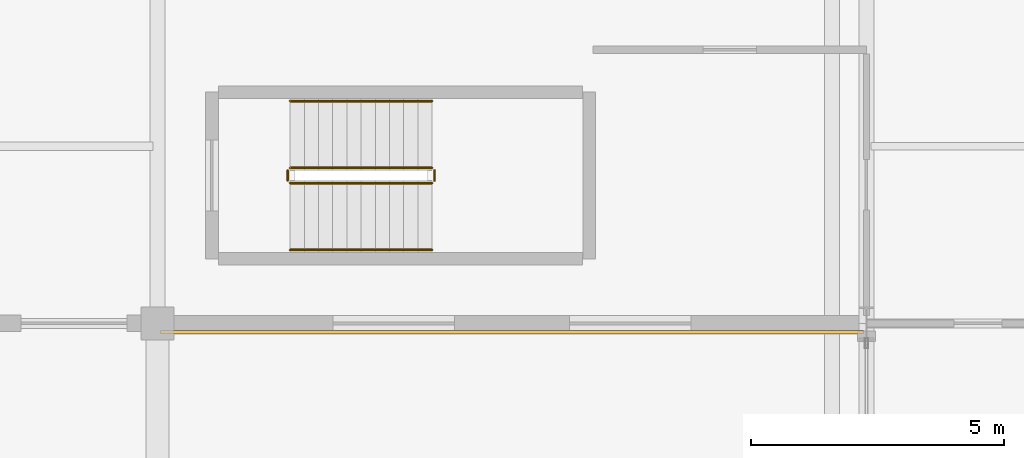
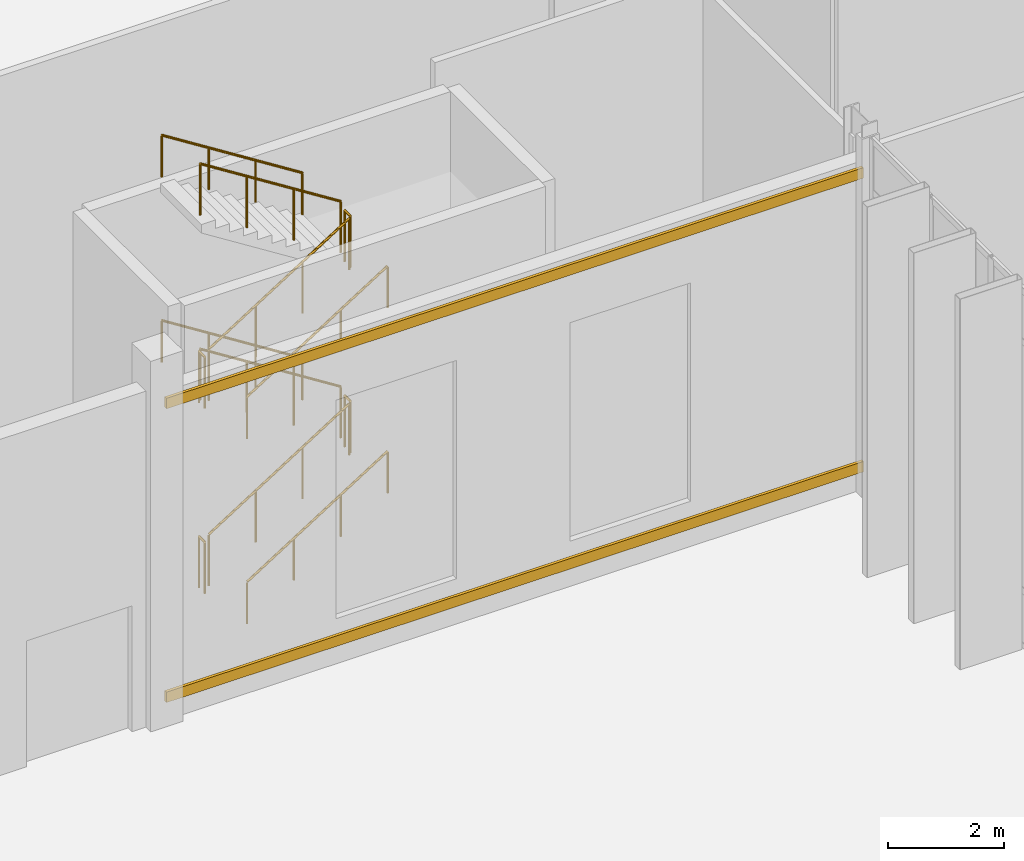
# One storey, part 159 of 176: 12 railings, 2 coverings.
"""IFC4 building model written with IfcOpenShell, lengths in metres."""

import ifcopenshell
import ifcopenshell.guid

model = None  # the IFC model being written
_history = None  # IfcOwnerHistory: only IFC2X3 demands one
_inside = {}  # id of a spatial element -> (the spatial element, [elements in it])
_under = {}  # id of a project, library or spatial element -> (it, [spatial elements below it])
_declared = {}  # id of a project -> (the project, [libraries it declares])
_typed = {}  # id of a type object -> (the type object, [elements of that type])
_made_of = {}  # id of a material, layer set ... -> (it, [elements and type objects made of it])


def new_model(schema):
    """Start an empty IFC model of exactly this schema.

    Asked for "IFC4X3", IfcOpenShell would pick the latest addendum, in which some entities
    have other attributes; the version numbers below select the first issue.
    IFC2X3 requires an IfcOwnerHistory on every rooted entity: one is made here for all.
    """
    global model, _history
    if schema == "IFC4X3":
        model = ifcopenshell.file(schema_version=(4, 3, 0, 0))
    else:
        model = ifcopenshell.file(schema=schema)
    _inside.clear()
    _under.clear()
    _declared.clear()
    _typed.clear()
    _made_of.clear()
    _history = None
    if model.schema == "IFC2X3":
        org = make("IfcOrganization", Name="unknown")
        user = make(
            "IfcPersonAndOrganization",
            ThePerson=make("IfcPerson", FamilyName="unknown"),
            TheOrganization=org,
        )
        app = make(
            "IfcApplication",
            ApplicationDeveloper=org,
            Version="unknown",
            ApplicationFullName="unknown",
            ApplicationIdentifier="unknown",
        )
        _history = make(
            "IfcOwnerHistory",
            OwningUser=user,
            OwningApplication=app,
            ChangeAction="ADDED",
            CreationDate=0,
        )
    return model


def make(cls, **values):
    """One entity of the class cls with the attributes given. An attribute that is None is left unset."""
    return model.create_entity(
        cls, **{name: value for name, value in values.items() if value is not None}
    )


def rooted(cls, **values):
    """An entity with a GlobalId (a new one), such as an element, a storey or a relation."""
    return make(cls, GlobalId=ifcopenshell.guid.new(), OwnerHistory=_history, **values)


def si_unit(unit_type, name, prefix=None):
    """IfcSIUnit, for example si_unit("LENGTHUNIT", "METRE", prefix="MILLI")."""
    return make("IfcSIUnit", UnitType=unit_type, Prefix=prefix, Name=name)


def assignment(units):
    """IfcUnitAssignment: the units of a project."""
    return None if units is None else make("IfcUnitAssignment", Units=units)


def point(xyz):
    """IfcCartesianPoint."""
    return None if xyz is None else make("IfcCartesianPoint", Coordinates=xyz)


def direction(xyz):
    """IfcDirection."""
    return None if xyz is None else make("IfcDirection", DirectionRatios=xyz)


def frame(location, z_axis=None, x_axis=None):
    """IfcAxis2Placement3D, a coordinate frame: its origin and axes. An axis left out is left unset."""
    return make(
        "IfcAxis2Placement3D",
        Location=point(location),
        Axis=direction(z_axis),
        RefDirection=direction(x_axis),
    )


def frame_2d(location, x_axis=None):
    """IfcAxis2Placement2D, a coordinate frame in the plane: its origin and x axis."""
    return make(
        "IfcAxis2Placement2D", Location=point(location), RefDirection=direction(x_axis)
    )


def origin():
    """The frame at (0, 0, 0) with its axes left unset."""
    return frame((0.0, 0.0, 0.0))


def origin_2d():
    """The frame at (0, 0) in the plane with its x axis left unset."""
    return frame_2d((0.0, 0.0))


def place(relative_to, where):
    """IfcLocalPlacement: puts the frame where relative to a parent placement (None: the world)."""
    return make(
        "IfcLocalPlacement", PlacementRelTo=relative_to, RelativePlacement=where
    )


def context(
    kind, dimensions, precision=None, world=None, true_north=None, identifier=None
):
    """IfcGeometricRepresentationContext, for example the 3D "Model" context."""
    return make(
        "IfcGeometricRepresentationContext",
        ContextIdentifier=identifier,
        ContextType=kind,
        CoordinateSpaceDimension=dimensions,
        Precision=precision,
        WorldCoordinateSystem=world,
        TrueNorth=true_north,
    )


def subcontext(parent, identifier, kind, view, scale=None):
    """IfcGeometricRepresentationSubContext, for example "Body" below "Model"."""
    return make(
        "IfcGeometricRepresentationSubContext",
        ContextIdentifier=identifier,
        ContextType=kind,
        ParentContext=parent,
        TargetScale=scale,
        TargetView=view,
    )


def project(units=None, contexts=None):
    """IfcProject with its units and contexts."""
    return rooted(
        "IfcProject",
        Name="project",
        RepresentationContexts=contexts,
        UnitsInContext=assignment(units),
    )


def spatial(cls, under=None, at=None, **own):
    """A site, building, storey or space (cls), placed at a placement, below another one or the project."""
    s = rooted(cls, ObjectPlacement=at, **own)
    if under is not None:
        _under.setdefault(under.id(), (under, []))[1].append(s)
    return s


def profile(cls, at=None, kind="AREA", **sizes):
    """A parametric profile (cls). Its sizes go by their IFC names, for example OverallWidth=200.0."""
    return make(cls, ProfileType=kind, Position=at, **sizes)


def rectangle(**sizes):
    """IfcRectangleProfileDef."""
    return profile("IfcRectangleProfileDef", **sizes)


def circle(**sizes):
    """IfcCircleProfileDef."""
    return profile("IfcCircleProfileDef", **sizes)


def extrude(swept, where, along, depth):
    """IfcExtrudedAreaSolid: the profile swept, set in the frame where, extruded along a direction by depth."""
    return make(
        "IfcExtrudedAreaSolid",
        SweptArea=swept,
        Position=where,
        ExtrudedDirection=direction(along),
        Depth=depth,
    )


def shape(context_of_items, identifier, shape_type, items):
    """IfcShapeRepresentation: the items that make up one representation, for example the "Body"."""
    return make(
        "IfcShapeRepresentation",
        ContextOfItems=context_of_items,
        RepresentationIdentifier=identifier,
        RepresentationType=shape_type,
        Items=items,
    )


def material(Name=None, Category=None):
    """IfcMaterial."""
    return make("IfcMaterial", Name=Name, Category=Category)


def layer(
    of_material, thickness, ventilated=None, Name=None, Category=None, Priority=None
):
    """IfcMaterialLayer: one layer of a wall or slab, of a material (None: an air gap)."""
    return make(
        "IfcMaterialLayer",
        Material=of_material,
        LayerThickness=thickness,
        IsVentilated=ventilated,
        Name=Name,
        Category=Category,
        Priority=Priority,
    )


def layer_set(layers, Name=None):
    """IfcMaterialLayerSet."""
    return make("IfcMaterialLayerSet", MaterialLayers=layers, LayerSetName=Name)


def made_of(thing, what):
    """Note that an element or type object is made of a material, layer set ...; save() writes the relation."""
    if what is not None:
        _made_of.setdefault(what.id(), (what, []))[1].append(thing)
    return thing


def type_object(cls, material=None, **own):
    """A type object (cls), such as IfcWallType, which elements share."""
    return made_of(rooted(cls, **own), material)


def element(
    cls,
    number,
    at=None,
    inside=None,
    cuts=None,
    type_object=None,
    material=None,
    context=None,
    identifier="Body",
    shape_type=None,
    held_by="IfcProductDefinitionShape",
    body=None,
    shapes=None,
    **own,
):
    """One element of the class cls, such as IfcWall. Its Tag is "e" and its number.

    at: its placement. inside: the storey or other place that contains it. cuts: it is an
    opening in that element (IfcRelVoidsElement). A single representation is given by context,
    identifier, shape_type and body (its items); several are given by shapes. held_by: the class
    of the entity that holds the representations. save() writes the other relations.
    """
    e = rooted(cls, Tag="e%d" % number, ObjectPlacement=at, **own)
    if body is not None:
        shapes = [shape(context, identifier, shape_type, body)]
    if shapes is not None:
        e.Representation = make(held_by, Representations=shapes)
    if inside is not None:
        _inside.setdefault(inside.id(), (inside, []))[1].append(e)
    if cuts is not None:
        rooted(
            "IfcRelVoidsElement", RelatingBuildingElement=cuts, RelatedOpeningElement=e
        )
    if type_object is not None:
        _typed.setdefault(type_object.id(), (type_object, []))[1].append(e)
    return made_of(e, material)


def aggregate(whole, parts):
    """IfcRelAggregates: a whole, such as a stair, and the parts it consists of."""
    return rooted("IfcRelAggregates", RelatingObject=whole, RelatedObjects=parts)


def save(model, path):
    """Write the relations noted so far, then the file.

    IfcRelAggregates (storeys below a building ...), IfcRelContainedInSpatialStructure (elements
    in a storey), IfcRelDefinesByType, IfcRelAssociatesMaterial and IfcRelDeclares: one each for
    every whole, place, type object, material and project.
    """
    for whole, parts in _under.values():
        aggregate(whole, parts)
    for where, things in _inside.values():
        rooted(
            "IfcRelContainedInSpatialStructure",
            RelatedElements=things,
            RelatingStructure=where,
        )
    for kind, things in _typed.values():
        rooted("IfcRelDefinesByType", RelatedObjects=things, RelatingType=kind)
    for what, things in _made_of.values():
        rooted("IfcRelAssociatesMaterial", RelatedObjects=things, RelatingMaterial=what)
    for by, libraries in _declared.values():
        rooted("IfcRelDeclares", RelatingContext=by, RelatedDefinitions=libraries)
    model.write(path)


model = new_model("IFC4")

# Units and contexts
model_context = context("Model", 3, precision=1e-05, world=origin(), true_north=direction((0.0, 1.0)))
body_context = subcontext(model_context, "Body", "Model", "MODEL_VIEW")
ifc_project = project(units=[si_unit("LENGTHUNIT", "METRE"), si_unit("AREAUNIT", "SQUARE_METRE"), si_unit("VOLUMEUNIT", "CUBIC_METRE"), si_unit("PLANEANGLEUNIT", "RADIAN"), si_unit("MASSUNIT", "GRAM", prefix="KILO")], contexts=[model_context])

# Site, building, storey
site_placement = place(None, origin())
site = spatial("IfcSite", under=ifc_project, at=site_placement, CompositionType="ELEMENT")
building_placement = place(site_placement, origin())
building = spatial("IfcBuilding", under=site, at=building_placement, Name="Vekula Escarpment Museum", CompositionType="ELEMENT")
storey_placement = place(building_placement, origin())
storey = spatial("IfcBuildingStorey", under=building, at=storey_placement, Name="L01", CompositionType="ELEMENT", Elevation=0.0)

# Coverings
ifc_material_1 = material(Name="Polychrome limestone almasik string-course band", Category="masonry")
ifc_layer = layer(ifc_material_1, 0.06005859375)
ifc_layer_set = layer_set([ifc_layer], Name="Polychrome limestone almasik string-course band")
covering_type = type_object("IfcCoveringType", Name="COV-ALM-BAND", PredefinedType="CLADDING", material=ifc_layer_set)
for number, where, z_axis, x_axis, name in (
    (1, (63.0, 52.424072265625, 0.41015625), (0.0, 0.0, 1.0), (1.0, 0.0, 0.0), "Almasik Stone String Course L01-0219"),
    (2, (63.0, 52.424072265625, 6.59521484375), (0.0, 0.0, 1.0), (1.0, 0.0, 0.0), "Almasik Stone String Course L01-0220"),
):
    element("IfcCovering", number, at=place(storey_placement, frame(where, z_axis=z_axis, x_axis=x_axis)), inside=storey, type_object=covering_type, Name=name, PredefinedType="CLADDING", context=body_context, shape_type="SweptSolid", body=[
        extrude(rectangle(XDim=13.8798828125, YDim=0.06005859375, at=origin_2d()), origin(), (0.0, 0.0, 1.0), 0.219970703125),
    ])

# Railings
ifc_material_2 = material(Name="Painted Steel S355 stair guard", Category="steel")
railing_type_1 = type_object("IfcRailingType", Name="RL-STAIR-GUARD", PredefinedType="GUARDRAIL", material=ifc_material_2)
railing_1_placement = place(storey_placement, frame((58.6201171875, 55.3701171875, 0.17724609375)))
element("IfcRailing", 3, at=railing_1_placement, inside=storey, type_object=railing_type_1, Name="L01 ST-01 stair guard 1", PredefinedType="GUARDRAIL", context=body_context, shape_type="SweptSolid", body=[
    extrude(circle(Radius=0.02392578125, at=origin_2d()), frame((0.0, 0.0, 1.076171875), z_axis=(0.844887892834, 0.0, 0.53494340686), x_axis=(0.0, 1.0, 0.0)), (0.0, 0.0, 1.0), 3.313720703125),
    extrude(circle(Radius=0.02099609375, at=origin_2d()), origin(), (0.0, 0.0, 1.0), 1.052001953125),
    extrude(circle(Radius=0.02099609375, at=origin_2d()), frame((0.933349609375, 0.0, 0.5908203125)), (0.0, 0.0, 1.0), 1.052001953125),
    extrude(circle(Radius=0.02099609375, at=origin_2d()), frame((1.866455078125, 0.0, 1.181884765625)), (0.0, 0.0, 1.0), 1.052001953125),
    extrude(circle(Radius=0.02099609375, at=origin_2d()), frame((2.7998046875, 0.0, 1.772705078125)), (0.0, 0.0, 1.0), 1.052001953125),
])
railing_2_placement = place(storey_placement, frame((61.469970703125, 55.419921875, 1.949951171875)))
element("IfcRailing", 4, at=railing_2_placement, inside=storey, type_object=railing_type_1, Name="L01 ST-01 stair guard 2", PredefinedType="GUARDRAIL", context=body_context, shape_type="SweptSolid", body=[
    extrude(circle(Radius=0.02392578125, at=origin_2d()), frame((0.0, 0.0, 1.076171875), z_axis=(0.0, 1.0, 0.0), x_axis=(-1.0, 0.0, 0.0)), (0.0, 0.0, 1.0), 0.2001953125),
    extrude(circle(Radius=0.02099609375, at=origin_2d()), origin(), (0.0, 0.0, 1.0), 1.052001953125),
    extrude(circle(Radius=0.02099609375, at=origin_2d()), frame((0.0, 0.2001953125, 0.0)), (0.0, 0.0, 1.0), 1.052001953125),
])
railing_3_placement = place(storey_placement, frame((61.419921875, 55.669921875, 2.127197265625)))
element("IfcRailing", 5, at=railing_3_placement, inside=storey, type_object=railing_type_1, Name="L01 ST-01 stair guard 3", PredefinedType="GUARDRAIL", context=body_context, shape_type="SweptSolid", body=[
    extrude(circle(Radius=0.02392578125, at=origin_2d()), frame((0.0, 0.0, 1.076171875), z_axis=(-0.844887892834, 0.0, 0.53494340686), x_axis=(0.0, -1.0, 0.0)), (0.0, 0.0, 1.0), 3.313720703125),
    extrude(circle(Radius=0.02099609375, at=origin_2d()), origin(), (0.0, 0.0, 1.0), 1.052001953125),
    extrude(circle(Radius=0.02099609375, at=origin_2d()), frame((-0.933349609375, 0.0, 0.5908203125)), (0.0, 0.0, 1.0), 1.052001953125),
    extrude(circle(Radius=0.02099609375, at=origin_2d()), frame((-1.866455078125, 0.0, 1.181884765625)), (0.0, 0.0, 1.0), 1.052001953125),
    extrude(circle(Radius=0.02099609375, at=origin_2d()), frame((-2.7998046875, 0.0, 1.772705078125)), (0.0, 0.0, 1.0), 1.052001953125),
])
railing_4_placement = place(storey_placement, frame((58.570068359375, 55.419921875, 3.89990234375)))
element("IfcRailing", 6, at=railing_4_placement, inside=storey, type_object=railing_type_1, Name="L01 ST-01 stair guard 4", PredefinedType="GUARDRAIL", context=body_context, shape_type="SweptSolid", body=[
    extrude(circle(Radius=0.02392578125, at=origin_2d()), frame((0.0, 0.0, 1.076171875), z_axis=(0.0, 1.0, 0.0), x_axis=(-1.0, 0.0, 0.0)), (0.0, 0.0, 1.0), 0.2001953125),
    extrude(circle(Radius=0.02099609375, at=origin_2d()), origin(), (0.0, 0.0, 1.0), 1.052001953125),
    extrude(circle(Radius=0.02099609375, at=origin_2d()), frame((0.0, 0.2001953125, 0.0)), (0.0, 0.0, 1.0), 1.052001953125),
])
railing_5_placement = place(storey_placement, frame((58.6201171875, 55.3701171875, 4.077392578125)))
element("IfcRailing", 7, at=railing_5_placement, inside=storey, type_object=railing_type_1, Name="L01 ST-01 stair guard 5", PredefinedType="GUARDRAIL", context=body_context, shape_type="SweptSolid", body=[
    extrude(circle(Radius=0.02392578125, at=origin_2d()), frame((0.0, 0.0, 1.076171875), z_axis=(0.844887892834, 0.0, 0.53494340686), x_axis=(0.0, 1.0, 0.0)), (0.0, 0.0, 1.0), 3.313720703125),
    extrude(circle(Radius=0.02099609375, at=origin_2d()), origin(), (0.0, 0.0, 1.0), 1.052001953125),
    extrude(circle(Radius=0.02099609375, at=origin_2d()), frame((0.933349609375, 0.0, 0.5908203125)), (0.0, 0.0, 1.0), 1.052001953125),
    extrude(circle(Radius=0.02099609375, at=origin_2d()), frame((1.866455078125, 0.0, 1.181884765625)), (0.0, 0.0, 1.0), 1.052001953125),
    extrude(circle(Radius=0.02099609375, at=origin_2d()), frame((2.7998046875, 0.0, 1.772705078125)), (0.0, 0.0, 1.0), 1.052001953125),
])
railing_6_placement = place(storey_placement, frame((61.469970703125, 55.419921875, 5.85009765625)))
element("IfcRailing", 8, at=railing_6_placement, inside=storey, type_object=railing_type_1, Name="L01 ST-01 stair guard 6", PredefinedType="GUARDRAIL", context=body_context, shape_type="SweptSolid", body=[
    extrude(circle(Radius=0.02392578125, at=origin_2d()), frame((0.0, 0.0, 1.076171875), z_axis=(0.0, 1.0, 0.0), x_axis=(-1.0, 0.0, 0.0)), (0.0, 0.0, 1.0), 0.2001953125),
    extrude(circle(Radius=0.02099609375, at=origin_2d()), origin(), (0.0, 0.0, 1.0), 1.052001953125),
    extrude(circle(Radius=0.02099609375, at=origin_2d()), frame((0.0, 0.2001953125, 0.0)), (0.0, 0.0, 1.0), 1.052001953125),
])
railing_7_placement = place(storey_placement, frame((61.419921875, 55.669921875, 6.02734375)))
element("IfcRailing", 9, at=railing_7_placement, inside=storey, type_object=railing_type_1, Name="L01 ST-01 stair guard 7", PredefinedType="GUARDRAIL", context=body_context, shape_type="SweptSolid", body=[
    extrude(circle(Radius=0.02392578125, at=origin_2d()), frame((0.0, 0.0, 1.076171875), z_axis=(-0.844887892834, 0.0, 0.53494340686), x_axis=(0.0, -1.0, 0.0)), (0.0, 0.0, 1.0), 3.313720703125),
    extrude(circle(Radius=0.02099609375, at=origin_2d()), origin(), (0.0, 0.0, 1.0), 1.052001953125),
    extrude(circle(Radius=0.02099609375, at=origin_2d()), frame((-0.933349609375, 0.0, 0.5908203125)), (0.0, 0.0, 1.0), 1.052001953125),
    extrude(circle(Radius=0.02099609375, at=origin_2d()), frame((-1.866455078125, 0.0, 1.181884765625)), (0.0, 0.0, 1.0), 1.052001953125),
    extrude(circle(Radius=0.02099609375, at=origin_2d()), frame((-2.7998046875, 0.0, 1.772705078125)), (0.0, 0.0, 1.0), 1.052001953125),
])
railing_8_placement = place(storey_placement, frame((58.570068359375, 55.419921875, 0.0)))
element("IfcRailing", 10, at=railing_8_placement, inside=storey, type_object=railing_type_1, Name="L01 ST-01 stair guard 8", PredefinedType="GUARDRAIL", context=body_context, shape_type="SweptSolid", body=[
    extrude(circle(Radius=0.02392578125, at=origin_2d()), frame((0.0, 0.0, 1.076171875), z_axis=(0.0, 1.0, 0.0), x_axis=(-1.0, 0.0, 0.0)), (0.0, 0.0, 1.0), 0.2001953125),
    extrude(circle(Radius=0.02099609375, at=origin_2d()), origin(), (0.0, 0.0, 1.0), 1.052001953125),
    extrude(circle(Radius=0.02099609375, at=origin_2d()), frame((0.0, 0.2001953125, 0.0)), (0.0, 0.0, 1.0), 1.052001953125),
])
ifc_material_3 = material(Name="Brushed stainless steel handrail", Category="steel")
railing_type_2 = type_object("IfcRailingType", Name="RL-STAIR-HAND", PredefinedType="HANDRAIL", material=ifc_material_3)
railing_9_placement = place(storey_placement, frame((58.6201171875, 54.050048828125, 0.17724609375)))
element("IfcRailing", 11, at=railing_9_placement, inside=storey, type_object=railing_type_2, Name="L01 ST-01 stair handrail 1", PredefinedType="HANDRAIL", context=body_context, shape_type="SweptSolid", body=[
    extrude(circle(Radius=0.02392578125, at=origin_2d()), frame((0.0, 0.0, 0.8759765625), z_axis=(0.844887892834, 0.0, 0.53494340686), x_axis=(0.0, 1.0, 0.0)), (0.0, 0.0, 1.0), 3.313720703125),
    extrude(circle(Radius=0.02099609375, at=origin_2d()), origin(), (0.0, 0.0, 1.0), 0.851806640625),
    extrude(circle(Radius=0.02099609375, at=origin_2d()), frame((0.933349609375, 0.0, 0.5908203125)), (0.0, 0.0, 1.0), 0.851806640625),
    extrude(circle(Radius=0.02099609375, at=origin_2d()), frame((1.866455078125, 0.0, 1.181884765625)), (0.0, 0.0, 1.0), 0.851806640625),
    extrude(circle(Radius=0.02099609375, at=origin_2d()), frame((2.7998046875, 0.0, 1.772705078125)), (0.0, 0.0, 1.0), 0.851806640625),
])
railing_10_placement = place(storey_placement, frame((61.419921875, 56.989990234375, 2.127197265625)))
element("IfcRailing", 12, at=railing_10_placement, inside=storey, type_object=railing_type_2, Name="L01 ST-01 stair handrail 2", PredefinedType="HANDRAIL", context=body_context, shape_type="SweptSolid", body=[
    extrude(circle(Radius=0.02392578125, at=origin_2d()), frame((0.0, 0.0, 0.8759765625), z_axis=(-0.844887892834, 0.0, 0.53494340686), x_axis=(0.0, -1.0, 0.0)), (0.0, 0.0, 1.0), 3.313720703125),
    extrude(circle(Radius=0.02099609375, at=origin_2d()), origin(), (0.0, 0.0, 1.0), 0.851806640625),
    extrude(circle(Radius=0.02099609375, at=origin_2d()), frame((-0.933349609375, 0.0, 0.5908203125)), (0.0, 0.0, 1.0), 0.851806640625),
    extrude(circle(Radius=0.02099609375, at=origin_2d()), frame((-1.866455078125, 0.0, 1.181884765625)), (0.0, 0.0, 1.0), 0.851806640625),
    extrude(circle(Radius=0.02099609375, at=origin_2d()), frame((-2.7998046875, 0.0, 1.772705078125)), (0.0, 0.0, 1.0), 0.851806640625),
])
railing_11_placement = place(storey_placement, frame((58.6201171875, 54.050048828125, 4.077392578125)))
element("IfcRailing", 13, at=railing_11_placement, inside=storey, type_object=railing_type_2, Name="L01 ST-01 stair handrail 3", PredefinedType="HANDRAIL", context=body_context, shape_type="SweptSolid", body=[
    extrude(circle(Radius=0.02392578125, at=origin_2d()), frame((0.0, 0.0, 0.8759765625), z_axis=(0.844887892834, 0.0, 0.53494340686), x_axis=(0.0, 1.0, 0.0)), (0.0, 0.0, 1.0), 3.313720703125),
    extrude(circle(Radius=0.02099609375, at=origin_2d()), origin(), (0.0, 0.0, 1.0), 0.851806640625),
    extrude(circle(Radius=0.02099609375, at=origin_2d()), frame((0.933349609375, 0.0, 0.5908203125)), (0.0, 0.0, 1.0), 0.851806640625),
    extrude(circle(Radius=0.02099609375, at=origin_2d()), frame((1.866455078125, 0.0, 1.181884765625)), (0.0, 0.0, 1.0), 0.851806640625),
    extrude(circle(Radius=0.02099609375, at=origin_2d()), frame((2.7998046875, 0.0, 1.772705078125)), (0.0, 0.0, 1.0), 0.851806640625),
])
railing_12_placement = place(storey_placement, frame((61.419921875, 56.989990234375, 6.02734375)))
element("IfcRailing", 14, at=railing_12_placement, inside=storey, type_object=railing_type_2, Name="L01 ST-01 stair handrail 4", PredefinedType="HANDRAIL", context=body_context, shape_type="SweptSolid", body=[
    extrude(circle(Radius=0.02392578125, at=origin_2d()), frame((0.0, 0.0, 0.8759765625), z_axis=(-0.844887892834, 0.0, 0.53494340686), x_axis=(0.0, -1.0, 0.0)), (0.0, 0.0, 1.0), 3.313720703125),
    extrude(circle(Radius=0.02099609375, at=origin_2d()), origin(), (0.0, 0.0, 1.0), 0.851806640625),
    extrude(circle(Radius=0.02099609375, at=origin_2d()), frame((-0.933349609375, 0.0, 0.5908203125)), (0.0, 0.0, 1.0), 0.851806640625),
    extrude(circle(Radius=0.02099609375, at=origin_2d()), frame((-1.866455078125, 0.0, 1.181884765625)), (0.0, 0.0, 1.0), 0.851806640625),
    extrude(circle(Radius=0.02099609375, at=origin_2d()), frame((-2.7998046875, 0.0, 1.772705078125)), (0.0, 0.0, 1.0), 0.851806640625),
])

save(model, "model.ifc")
